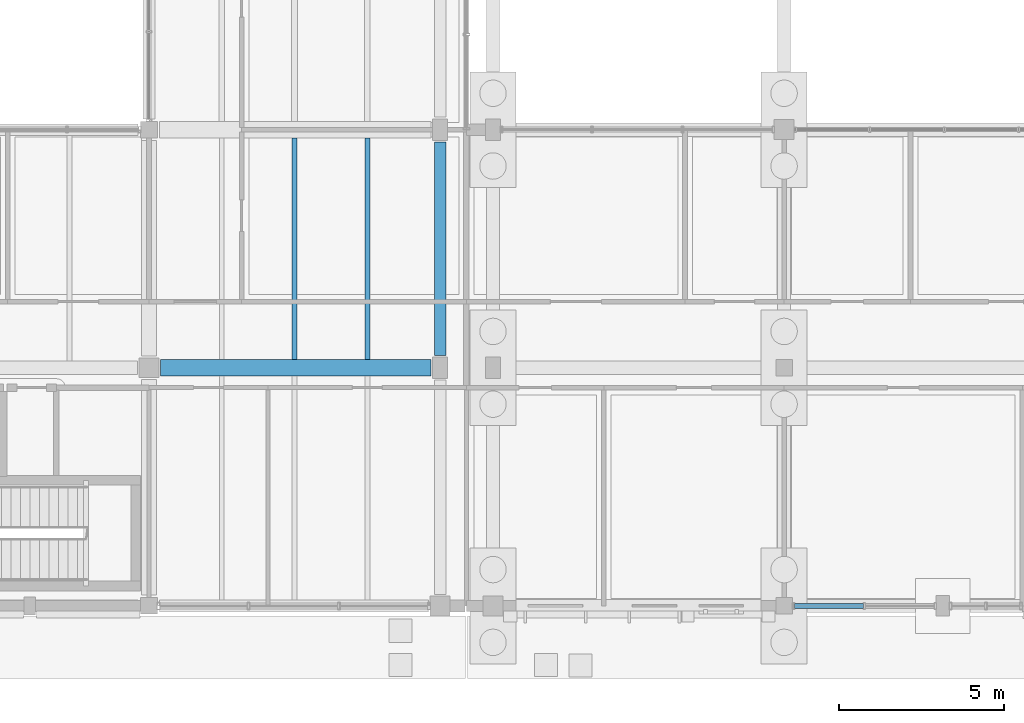
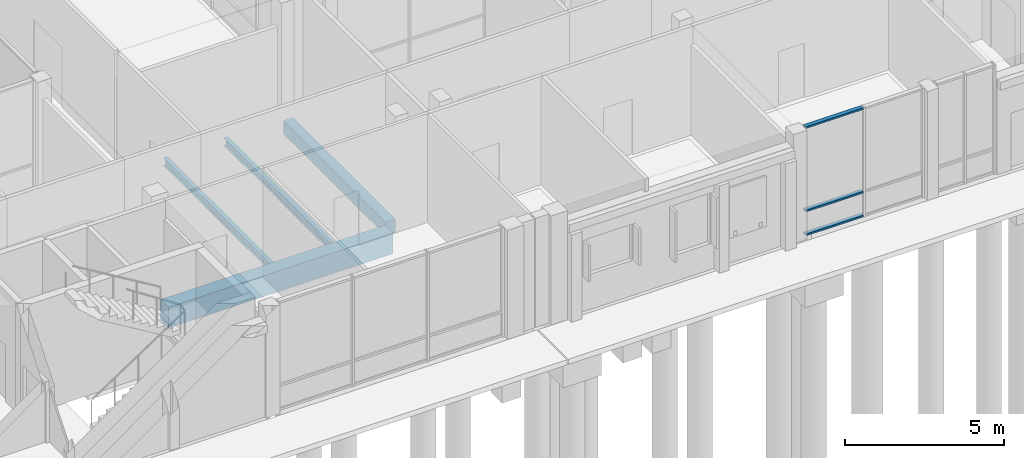
# One storey, part 45 of 104: 4 beams, 3 members, 1 element without a shape of its own.
"""IFC4 building model written with IfcOpenShell, lengths in metres."""

from ifc_helpers import new_model, si_unit, direction, frame, origin, origin_2d, place, context, subcontext, project, spatial, rectangle, hollow_rectangle, i_section, extrude, material, material_profile, profile_set, type_object, element, aggregate, save


model = new_model("IFC4")

# Units and contexts
model_context = context("Model", 3, precision=1e-05, world=origin(), true_north=direction((0.0, 1.0)))
body_context = subcontext(model_context, "Body", "Model", "MODEL_VIEW")
ifc_project = project(units=[si_unit("LENGTHUNIT", "METRE"), si_unit("AREAUNIT", "SQUARE_METRE"), si_unit("VOLUMEUNIT", "CUBIC_METRE"), si_unit("PLANEANGLEUNIT", "RADIAN"), si_unit("MASSUNIT", "GRAM", prefix="KILO")], contexts=[model_context])

# Site, building, storey
site_placement = place(None, origin())
site = spatial("IfcSite", under=ifc_project, at=site_placement, CompositionType="ELEMENT")
building_placement = place(site_placement, origin())
building = spatial("IfcBuilding", under=site, at=building_placement, Name="Hawrajan Terrace Health Centre", CompositionType="ELEMENT")
storey_placement = place(building_placement, origin())
storey = spatial("IfcBuildingStorey", under=building, at=storey_placement, Name="L00", CompositionType="ELEMENT", Elevation=0.0)

# Curtain wall, members
ifc_material_1 = material(Name="Anodized bronze aluminium and low-E solar glazing", Category="aluminium")
curtain_wall_type = type_object("IfcCurtainWallType", Name="CW_Pavilion_SeriesE2", PredefinedType="USERDEFINED", material=ifc_material_1)
curtain_wall_placement = place(storey_placement, origin())
curtain_wall = element("IfcCurtainWall", 1, at=curtain_wall_placement, inside=storey, type_object=curtain_wall_type, Name="Curtain wall CW-L00-037", ObjectType="UNITISED CURTAIN WALL", PredefinedType="USERDEFINED")
ifc_material_2 = material(Name="Anodized bronze aluminium 6063-T6", Category="aluminium")
ifc_material_profile_1 = material_profile(ifc_material_2, hollow_rectangle(XDim=0.06494140625, YDim=0.14990234375, WallThickness=0.00390625, at=origin_2d()), Name="CW TRN 65x150")
ifc_profile_set_1 = profile_set([ifc_material_profile_1], Name="Anodized bronze aluminium 6063-T6")
member_type = type_object("IfcMemberType", Name="CWTransom_65x150", PredefinedType="USERDEFINED", material=ifc_profile_set_1)
member_1_placement = place(storey_placement, frame((81.708984375, 4.199951171875, 0.032470703125), z_axis=(1.0, 0.0, 0.0), x_axis=(0.0, 0.0, 1.0)))
member_1 = element("IfcMember", 2, at=member_1_placement, type_object=member_type, Name="Transom CW-L00-037-T1-1", ObjectType="TRANSOM", PredefinedType="USERDEFINED", context=body_context, shape_type="SweptSolid", body=[
    extrude(hollow_rectangle(XDim=0.06494140625, YDim=0.14990234375, WallThickness=0.00390625, at=origin_2d()), origin(), (0.0, 0.0, 1.0), 2.089599609375),
])
member_2_placement = place(storey_placement, frame((81.708984375, 4.199951171875, 0.949951171875), z_axis=(1.0, 0.0, 0.0), x_axis=(0.0, 0.0, 1.0)))
member_2 = element("IfcMember", 3, at=member_2_placement, type_object=member_type, Name="Transom CW-L00-037-T1-2", ObjectType="TRANSOM", PredefinedType="USERDEFINED", context=body_context, shape_type="SweptSolid", body=[
    extrude(hollow_rectangle(XDim=0.06494140625, YDim=0.14990234375, WallThickness=0.00390625, at=origin_2d()), origin(), (0.0, 0.0, 1.0), 2.089599609375),
])
member_3_placement = place(storey_placement, frame((81.708984375, 4.199951171875, 4.16748046875), z_axis=(1.0, 0.0, 0.0), x_axis=(0.0, 0.0, 1.0)))
member_3 = element("IfcMember", 4, at=member_3_placement, type_object=member_type, Name="Transom CW-L00-037-T1-3", ObjectType="TRANSOM", PredefinedType="USERDEFINED", context=body_context, shape_type="SweptSolid", body=[
    extrude(hollow_rectangle(XDim=0.06494140625, YDim=0.14990234375, WallThickness=0.00390625, at=origin_2d()), origin(), (0.0, 0.0, 1.0), 2.089599609375),
])
aggregate(curtain_wall, [member_1, member_2, member_3])

# Beams
ifc_material_3 = material(Name="Concrete C40/50", Category="concrete")
ifc_material_profile_2 = material_profile(ifc_material_3, rectangle(XDim=0.5, YDim=0.800048828125, at=origin_2d()), Name="RC BM 500x800")
ifc_profile_set_2 = profile_set([ifc_material_profile_2], Name="Concrete C40/50")
beam_type_1 = type_object("IfcBeamType", Name="RCGirder_500x800", PredefinedType="BEAM", material=ifc_profile_set_2)
beam_1_placement = place(storey_placement, frame((62.550048828125, 11.39990234375, -0.699951171875), z_axis=(1.0, 0.0, 0.0), x_axis=(0.0, 1.0, 0.0)))
element("IfcBeam", 5, at=beam_1_placement, inside=storey, type_object=beam_type_1, Name="Beam BM-X-L00-W-09-Y2", PredefinedType="BEAM", context=body_context, shape_type="SweptSolid", body=[
    extrude(rectangle(XDim=0.5, YDim=0.800048828125, at=origin_2d()), origin(), (0.0, 0.0, 1.0), 8.175048828125),
])
ifc_material_profile_3 = material_profile(ifc_material_3, rectangle(XDim=0.35009765625, YDim=0.52001953125, at=origin_2d()), Name="RC SP 350x520")
ifc_profile_set_3 = profile_set([ifc_material_profile_3], Name="Concrete C40/50")
beam_type_2 = type_object("IfcBeamType", Name="RCSpandrel_350x520", PredefinedType="SPANDREL", material=ifc_profile_set_3)
beam_2_placement = place(storey_placement, frame((71.0, 11.77490234375, -0.56005859375), z_axis=(0.0, 1.0, 0.0), x_axis=(-1.0, 0.0, 0.0)))
element("IfcBeam", 6, at=beam_2_placement, inside=storey, type_object=beam_type_2, Name="Beam BM-Y-L00-W-X10-2", PredefinedType="SPANDREL", context=body_context, shape_type="SweptSolid", body=[
    extrude(rectangle(XDim=0.35009765625, YDim=0.52001953125, at=origin_2d()), origin(), (0.0, 0.0, 1.0), 6.4501953125),
])
ifc_material_4 = material(Name="Steel S355", Category="steel")
ifc_material_profile_4 = material_profile(ifc_material_4, i_section(OverallWidth=0.14990234375, OverallDepth=0.300048828125, WebThickness=0.007080078125, FlangeThickness=0.0107421875, FilletRadius=0.014892578125, at=origin_2d()), Name="IPE 300")
ifc_profile_set_4 = profile_set([ifc_material_profile_4], Name="Steel S355")
beam_type_3 = type_object("IfcBeamType", Name="SteelBeam_IPE300", PredefinedType="JOIST", material=ifc_profile_set_4)
for number, where, z_axis, x_axis, name in (
    (7, (66.60009765625, 11.64990234375, -0.449951171875), (0.0, 1.0, 0.0), (-1.0, 0.0, 0.0), "Secondary joist JST-L00-W-09-2-2"),
    (8, (68.800048828125, 11.64990234375, -0.449951171875), (0.0, 1.0, 0.0), (-1.0, 0.0, 0.0), "Secondary joist JST-L00-W-09-2-3"),
):
    element("IfcBeam", number, at=place(storey_placement, frame(where, z_axis=z_axis, x_axis=x_axis)), inside=storey, type_object=beam_type_3, Name=name, PredefinedType="JOIST", context=body_context, shape_type="SweptSolid", body=[
        extrude(i_section(OverallWidth=0.14990234375, OverallDepth=0.300048828125, WebThickness=0.007080078125, FlangeThickness=0.0107421875, FilletRadius=0.014892578125, at=origin_2d()), origin(), (0.0, 0.0, 1.0), 6.7001953125),
    ])

save(model, "model.ifc")
